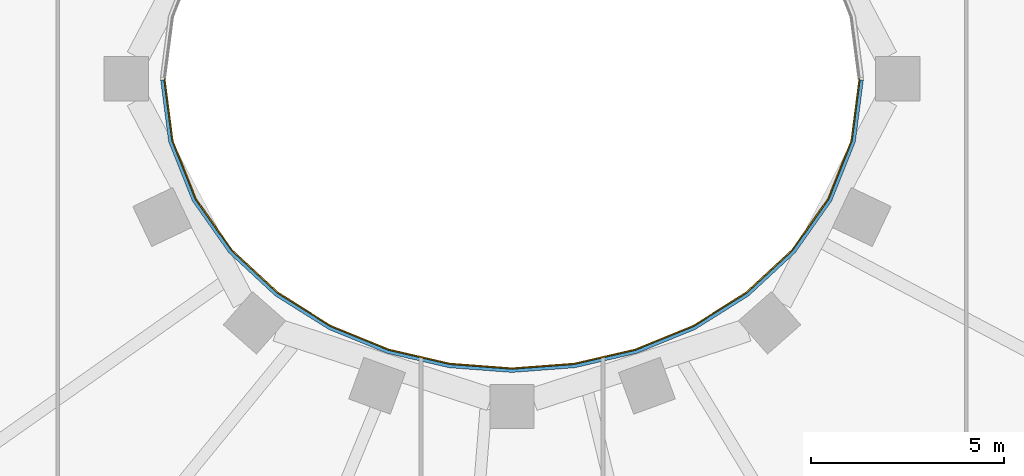
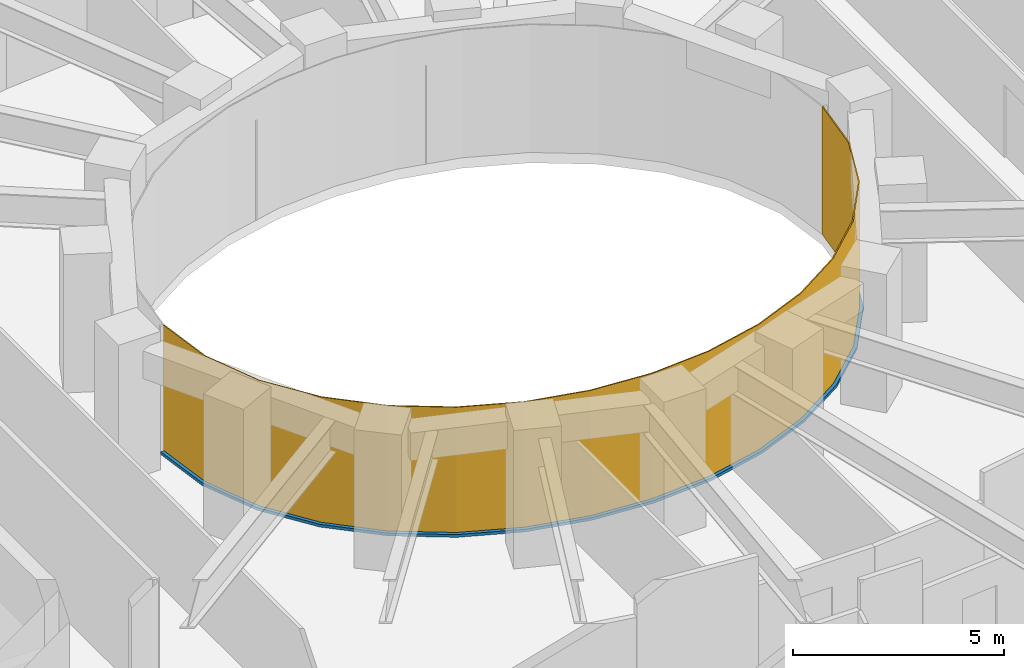
# One storey, part 9 of 16: 1 curtain wall, 1 member.
"""IFC4 building model written with IfcOpenShell, lengths in metres."""

from ifc_helpers import new_model, si_unit, direction, frame, origin, place, context, subcontext, project, spatial, polyline, outline, extrude, material, layer, layer_set, type_object, element, aggregate, save


model = new_model("IFC4")

# Units and contexts
model_context = context("Model", 3, precision=1e-05, world=origin(), true_north=direction((0.0, 1.0)))
body_context = subcontext(model_context, "Body", "Model", "MODEL_VIEW")
ifc_project = project(units=[si_unit("LENGTHUNIT", "METRE"), si_unit("AREAUNIT", "SQUARE_METRE"), si_unit("VOLUMEUNIT", "CUBIC_METRE"), si_unit("PLANEANGLEUNIT", "RADIAN"), si_unit("MASSUNIT", "GRAM", prefix="KILO")], contexts=[model_context])

# Member
ifc_material_1 = material(Name="Steel S355 fire-resisting frame", Category="steel")
member_type = type_object("IfcMemberType", Name="ENV-TRANSOM-W", PredefinedType="USERDEFINED", material=ifc_material_1)
site_placement = place(None, origin())
building_placement = place(site_placement, origin())
storey_placement = place(building_placement, frame((0.0, 0.0, 132.0)))
member_placement = place(storey_placement, origin())
member = element("IfcMember", 1, at=member_placement, type_object=member_type, Name="Transom W well 17-01", ObjectType="TRANSOM", PredefinedType="USERDEFINED", context=body_context, shape_type="SweptSolid", body=[
    extrude(outline(polyline([(-9.119384765625, -0.02783203125), (-8.910400390625, -1.63623046875), (-8.29833984375, -3.167236328125), (-7.35107421875, -4.5146484375), (-6.1455078125, -5.6337890625), (-4.75341796875, -6.50634765625), (-3.233642578125, -7.127685546875), (-1.635498046875, -7.498779296875), (0.0, -7.622314453125), (1.635498046875, -7.498779296875), (3.233642578125, -7.127685546875), (4.75341796875, -6.50634765625), (6.1455078125, -5.6337890625), (7.35107421875, -4.5146484375), (8.29833984375, -3.167236328125), (8.910400390625, -1.63623046875), (9.119384765625, -0.02783203125), (9.02880859375, -0.02783203125), (8.822509765625, -1.61328125), (8.21875, -3.124267578125), (7.282958984375, -4.455078125), (6.090576171875, -5.56201171875), (4.712158203125, -6.426025390625), (3.206298828125, -7.04150390625), (1.621826171875, -7.40966796875), (0.0, -7.531982421875), (-1.621826171875, -7.40966796875), (-3.206298828125, -7.04150390625), (-4.712158203125, -6.426025390625), (-6.090576171875, -5.56201171875), (-7.282958984375, -4.455078125), (-8.21875, -3.124267578125), (-8.822509765625, -1.61328125), (-9.02880859375, -0.02783203125), (-9.119384765625, -0.02783203125)])), origin(), (0.0, 0.0, 1.0), 0.080078125),
])

# Site, building, storey
site = spatial("IfcSite", under=ifc_project, at=site_placement, CompositionType="ELEMENT")
building = spatial("IfcBuilding", under=site, at=building_placement, Name="Noorbagh Ring Tower", CompositionType="ELEMENT")
storey = spatial("IfcBuildingStorey", under=building, at=storey_placement, Name="L30", CompositionType="ELEMENT", Elevation=132.0)

# Curtain wall
ifc_material_2 = material(Name="Glass fire-resisting E60 laminated", Category="glass")
ifc_layer = layer(ifc_material_2, 0.031982421875)
ifc_layer_set = layer_set([ifc_layer], Name="Glass fire-resisting E60 laminated")
curtain_wall_type = type_object("IfcCurtainWallType", Name="ENV-CW-W", PredefinedType="NOTDEFINED", material=ifc_layer_set)
curtain_wall_placement = place(storey_placement, origin())
curtain_wall = element("IfcCurtainWall", 2, at=curtain_wall_placement, inside=storey, type_object=curtain_wall_type, Name="Curtain wall W W17", PredefinedType="NOTDEFINED", context=body_context, shape_type="SweptSolid", body=[
    extrude(outline(polyline([(-9.0322265625, 0.0), (-8.822509765625, -1.61328125), (-8.21875, -3.124267578125), (-7.282958984375, -4.455078125), (-6.090576171875, -5.56201171875), (-4.712158203125, -6.426025390625), (-3.206298828125, -7.04150390625), (-1.621826171875, -7.40966796875), (0.0, -7.531982421875), (1.621826171875, -7.40966796875), (3.206298828125, -7.04150390625), (4.712158203125, -6.426025390625), (6.090576171875, -5.56201171875), (7.282958984375, -4.455078125), (8.21875, -3.124267578125), (8.822509765625, -1.61328125), (9.0322265625, 0.0), (9.0, 0.0), (8.79150390625, -1.605224609375), (8.1904296875, -3.10888671875), (7.2587890625, -4.43408203125), (6.071044921875, -5.53662109375), (4.697509765625, -6.3974609375), (3.196533203125, -7.010986328125), (1.6171875, -7.3779296875), (0.0, -7.5), (-1.6171875, -7.3779296875), (-3.196533203125, -7.010986328125), (-4.697509765625, -6.3974609375), (-6.071044921875, -5.53662109375), (-7.2587890625, -4.43408203125), (-8.1904296875, -3.10888671875), (-8.79150390625, -1.605224609375), (-9.0, 0.0), (-9.0322265625, 0.0)])), origin(), (0.0, 0.0, 1.0), 3.699951171875),
])

aggregate(curtain_wall, [member])

save(model, "model.ifc")
